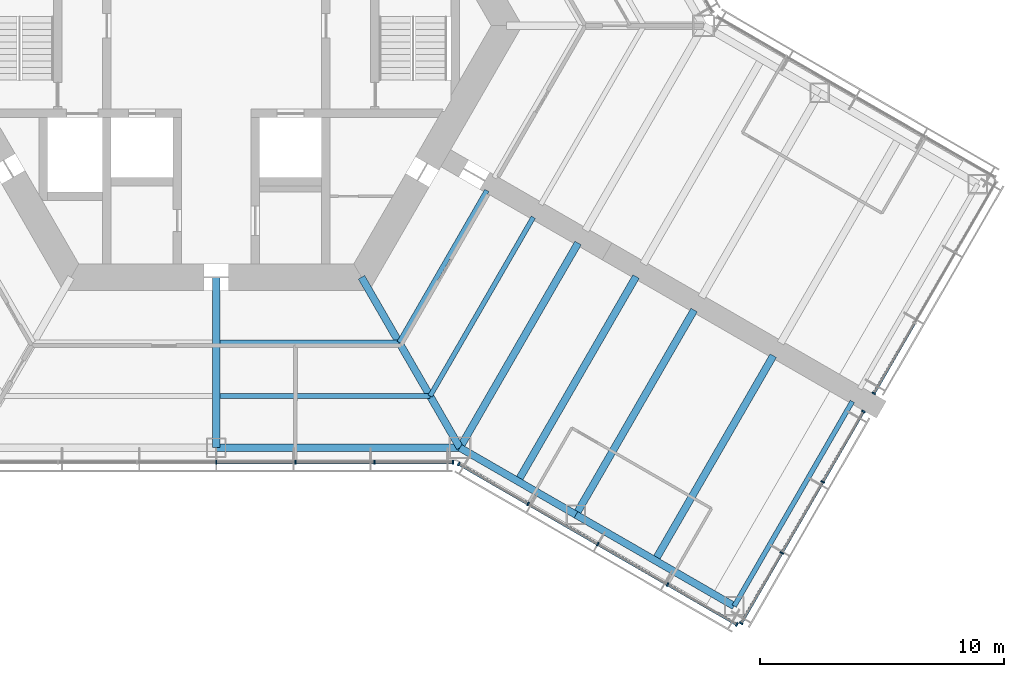
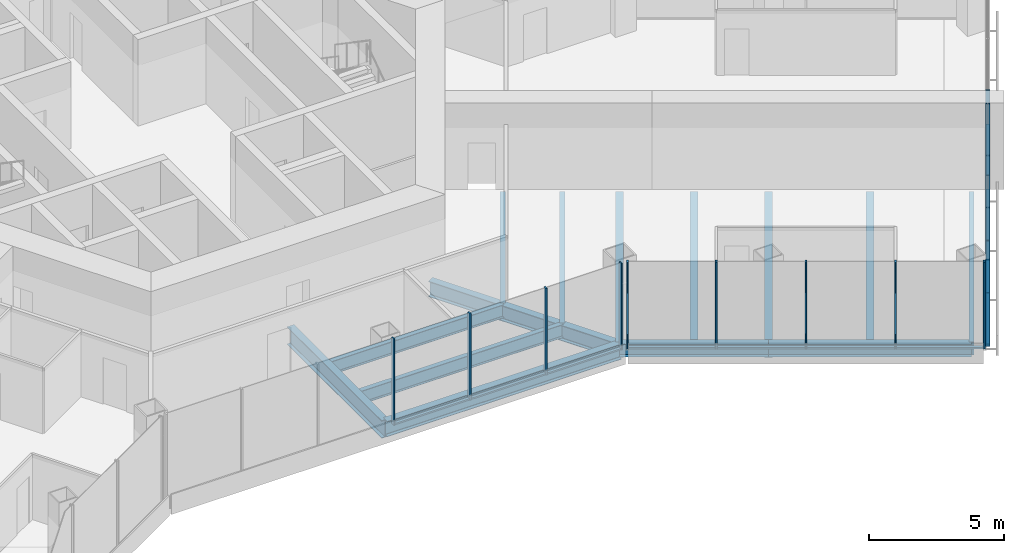
# One storey, part 5 of 18: 25 members, 14 beams, 4 elements without a shape of their own.
"""IFC4 building model written with IfcOpenShell, lengths in metres."""

from ifc_helpers import new_model, si_unit, direction, frame, origin, origin_2d, place, context, subcontext, project, spatial, rectangle, i_section, extrude, material, material_profile, profile_set, type_object, element, aggregate, save


model = new_model("IFC4")

# Units and contexts
model_context = context("Model", 3, precision=1e-05, world=origin(), true_north=direction((0.0, 1.0)))
body_context = subcontext(model_context, "Body", "Model", "MODEL_VIEW")
ifc_project = project(units=[si_unit("LENGTHUNIT", "METRE"), si_unit("AREAUNIT", "SQUARE_METRE"), si_unit("VOLUMEUNIT", "CUBIC_METRE"), si_unit("PLANEANGLEUNIT", "RADIAN"), si_unit("MASSUNIT", "GRAM", prefix="KILO")], contexts=[model_context])

# Site, building, storey
site_placement = place(None, origin())
site = spatial("IfcSite", under=ifc_project, at=site_placement, CompositionType="ELEMENT")
building_placement = place(site_placement, origin())
building = spatial("IfcBuilding", under=site, at=building_placement, Name="Kasaneha Research Tower", CompositionType="ELEMENT")
storey_placement = place(building_placement, frame((0.0, 0.0, 61.199951171875)))
storey = spatial("IfcBuildingStorey", under=building, at=storey_placement, Name="L15", CompositionType="ELEMENT", Elevation=61.199951171875)

# Beams
ifc_material_1 = material(Name="Steel SN490B", Category="steel")
ifc_material_profile_1 = material_profile(ifc_material_1, i_section(OverallWidth=0.199951171875, OverallDepth=0.60009765625, WebThickness=0.010986328125, FlangeThickness=0.01708984375, FilletRadius=0.012939453125, at=origin_2d()), Name="H-600x200x11x17")
ifc_profile_set_1 = profile_set([ifc_material_profile_1], Name="Steel SN490B")
beam_type_1 = type_object("IfcBeamType", Name="B1-3 secondary beam H-600x200x11x17", PredefinedType="JOIST", material=ifc_profile_set_1)
beam_1_placement = place(storey_placement, frame((7.505615234375, -13.0, -0.449951171875), z_axis=(-1.0, 0.0, 0.0), x_axis=(0.0, -1.0, 0.0)))
element("IfcBeam", 1, at=beam_1_placement, inside=storey, type_object=beam_type_1, Name="Secondary beam RS270R1 L15", PredefinedType="JOIST", context=body_context, shape_type="SweptSolid", body=[
    extrude(i_section(OverallWidth=0.199951171875, OverallDepth=0.60009765625, WebThickness=0.010986328125, FlangeThickness=0.01708984375, FilletRadius=0.012939453125, at=origin_2d()), origin(), (0.0, 0.0, 1.0), 7.355712890625),
])
beam_2_placement = place(storey_placement, frame((8.775634765625, -15.199951171875, -0.449951171875), z_axis=(-1.0, 0.0, 0.0), x_axis=(0.0, -1.0, 0.0)))
element("IfcBeam", 2, at=beam_2_placement, inside=storey, type_object=beam_type_1, Name="Secondary beam RS270R2 L15", PredefinedType="JOIST", context=body_context, shape_type="SweptSolid", body=[
    extrude(i_section(OverallWidth=0.199951171875, OverallDepth=0.60009765625, WebThickness=0.010986328125, FlangeThickness=0.01708984375, FilletRadius=0.012939453125, at=origin_2d()), origin(), (0.0, 0.0, 1.0), 8.625732421875),
])
beam_3_placement = place(storey_placement, frame((7.505615234375, -13.0, -0.449951171875), z_axis=(0.499998147991, 0.86602647304, 0.0), x_axis=(-0.86602647304, 0.499998147991, 0.0)))
element("IfcBeam", 3, at=beam_3_placement, inside=storey, type_object=beam_type_1, Name="Secondary beam RS330L1 L15", PredefinedType="JOIST", context=body_context, shape_type="SweptSolid", body=[
    extrude(i_section(OverallWidth=0.199951171875, OverallDepth=0.60009765625, WebThickness=0.010986328125, FlangeThickness=0.01708984375, FilletRadius=0.012939453125, at=origin_2d()), origin(), (0.0, 0.0, 1.0), 7.20556640625),
])
beam_4_placement = place(storey_placement, frame((8.775634765625, -15.199951171875, -0.449951171875), z_axis=(0.500020829043, 0.866013377797, 0.0), x_axis=(-0.866013377797, 0.500020829043, 0.0)))
element("IfcBeam", 4, at=beam_4_placement, inside=storey, type_object=beam_type_1, Name="Secondary beam RS330L2 L15", PredefinedType="JOIST", context=body_context, shape_type="SweptSolid", body=[
    extrude(i_section(OverallWidth=0.199951171875, OverallDepth=0.60009765625, WebThickness=0.010986328125, FlangeThickness=0.01708984375, FilletRadius=0.012939453125, at=origin_2d()), origin(), (0.0, 0.0, 1.0), 8.475830078125),
])
ifc_material_2 = material(Name="Steel SN490B", Category="steel")
ifc_material_profile_2 = material_profile(ifc_material_2, i_section(OverallWidth=0.300048828125, OverallDepth=0.58203125, WebThickness=0.011962890625, FlangeThickness=0.01708984375, FilletRadius=0.012939453125, at=origin_2d()), Name="H-582x300x12x17")
ifc_profile_set_2 = profile_set([ifc_material_profile_2], Name="Steel SN490B")
beam_type_2 = type_object("IfcBeamType", Name="B2-3 secondary beam H-582x300x12x17", PredefinedType="JOIST", material=ifc_profile_set_2)
for number, where, z_axis, x_axis, name in (
    (5, (12.381591796875, -18.695556640625, -0.44091796875), (0.500010041276, 0.866019606374, 0.0), (-0.866019606374, 0.500010041276, 0.0), "Secondary beam WBCP1 L15"),
    (6, (18.0107421875, -21.945556640625, -0.44091796875), (0.500010041276, 0.866019606374, 0.0), (-0.866019606374, 0.500010041276, 0.0), "Secondary beam WBCP2 L15"),
):
    element("IfcBeam", number, at=place(storey_placement, frame(where, z_axis=z_axis, x_axis=x_axis)), inside=storey, type_object=beam_type_2, Name=name, PredefinedType="JOIST", context=body_context, shape_type="SweptSolid", body=[
        extrude(i_section(OverallWidth=0.300048828125, OverallDepth=0.58203125, WebThickness=0.011962890625, FlangeThickness=0.01708984375, FilletRadius=0.012939453125, at=origin_2d()), origin(), (0.0, 0.0, 1.0), 9.699951171875),
    ])

# Curtain wall, members
ifc_material_3 = material(Name="Glass and aluminium", Category="aluminium")
curtain_wall_type = type_object("IfcCurtainWallType", Name="Low-rise office curtain wall", PredefinedType="USERDEFINED", material=ifc_material_3)
curtain_wall_1_placement = place(storey_placement, origin())
curtain_wall_1 = element("IfcCurtainWall", 7, at=curtain_wall_1_placement, inside=storey, type_object=curtain_wall_type, Name="CW-O1 L15 run 02a", ObjectType="UNITISED CURTAIN WALL", PredefinedType="USERDEFINED")
ifc_material_4 = material(Name="Aluminium 6063-T6", Category="aluminium")
ifc_material_profile_3 = material_profile(ifc_material_4, rectangle(XDim=0.06005859375, YDim=0.159912109375, at=origin_2d()), Name="CW-O1 mullion 60x160")
ifc_profile_set_3 = profile_set([ifc_material_profile_3], Name="Aluminium 6063-T6")
member_type_1 = type_object("IfcMemberType", Name="CW-O1 mullion", PredefinedType="MULLION", material=ifc_profile_set_3)
member_1_placement = place(storey_placement, frame((0.0, -17.92041015625, 0.0), z_axis=(0.0, 0.0, 1.0), x_axis=(1.0, 0.0, 0.0)))
member_1 = element("IfcMember", 8, at=member_1_placement, type_object=member_type_1, Name="CW-O1 mullion 4", PredefinedType="MULLION", context=body_context, shape_type="SweptSolid", body=[
    extrude(rectangle(XDim=0.06005859375, YDim=0.159912109375, at=origin_2d()), origin(), (0.0, 0.0, 1.0), 3.900146484375),
])
member_2_placement = place(storey_placement, frame((3.246337890625, -17.92041015625, 0.0), z_axis=(0.0, 0.0, 1.0), x_axis=(1.0, 0.0, 0.0)))
member_2 = element("IfcMember", 9, at=member_2_placement, type_object=member_type_1, Name="CW-O1 mullion 5", PredefinedType="MULLION", context=body_context, shape_type="SweptSolid", body=[
    extrude(rectangle(XDim=0.06005859375, YDim=0.159912109375, at=origin_2d()), origin(), (0.0, 0.0, 1.0), 3.900146484375),
])
member_3_placement = place(storey_placement, frame((6.492919921875, -17.92041015625, 0.0), z_axis=(0.0, 0.0, 1.0), x_axis=(1.0, 0.0, 0.0)))
member_3 = element("IfcMember", 10, at=member_3_placement, type_object=member_type_1, Name="CW-O1 mullion 6", PredefinedType="MULLION", context=body_context, shape_type="SweptSolid", body=[
    extrude(rectangle(XDim=0.06005859375, YDim=0.159912109375, at=origin_2d()), origin(), (0.0, 0.0, 1.0), 3.900146484375),
])
member_4_placement = place(storey_placement, frame((9.709228515625, -17.92041015625, 0.0), z_axis=(0.0, 0.0, 1.0), x_axis=(1.0, 0.0, 0.0)))
member_4 = element("IfcMember", 11, at=member_4_placement, type_object=member_type_1, Name="CW-O1 mullion 7", PredefinedType="MULLION", context=body_context, shape_type="SweptSolid", body=[
    extrude(rectangle(XDim=0.06005859375, YDim=0.159912109375, at=origin_2d()), origin(), (0.0, 0.0, 1.0), 3.900146484375),
])

curtain_wall_2_placement = place(storey_placement, origin())
curtain_wall_2 = element("IfcCurtainWall", 12, at=curtain_wall_2_placement, inside=storey, type_object=curtain_wall_type, Name="CW-O1 L15 run 03a", ObjectType="UNITISED CURTAIN WALL", PredefinedType="USERDEFINED")
member_5_placement = place(storey_placement, frame((9.951904296875, -17.985595703125, 0.0), z_axis=(0.0, 0.0, 1.0), x_axis=(0.866025411464, -0.499999986699, 0.0)))
member_5 = element("IfcMember", 13, at=member_5_placement, type_object=member_type_1, Name="CW-O1 mullion 1", PredefinedType="MULLION", context=body_context, shape_type="SweptSolid", body=[
    extrude(rectangle(XDim=0.06005859375, YDim=0.159912109375, at=origin_2d()), origin(), (0.0, 0.0, 1.0), 3.900146484375),
])
member_6_placement = place(storey_placement, frame((12.792236328125, -19.62548828125, 0.0), z_axis=(0.0, 0.0, 1.0), x_axis=(0.866025411464, -0.499999986699, 0.0)))
member_6 = element("IfcMember", 14, at=member_6_placement, type_object=member_type_1, Name="CW-O1 mullion 2", PredefinedType="MULLION", context=body_context, shape_type="SweptSolid", body=[
    extrude(rectangle(XDim=0.06005859375, YDim=0.159912109375, at=origin_2d()), origin(), (0.0, 0.0, 1.0), 3.900146484375),
])
member_7_placement = place(storey_placement, frame((15.65869140625, -21.2802734375, 0.0), z_axis=(0.0, 0.0, 1.0), x_axis=(0.866025411464, -0.499999986699, 0.0)))
member_7 = element("IfcMember", 15, at=member_7_placement, type_object=member_type_1, Name="CW-O1 mullion 3", PredefinedType="MULLION", context=body_context, shape_type="SweptSolid", body=[
    extrude(rectangle(XDim=0.06005859375, YDim=0.159912109375, at=origin_2d()), origin(), (0.0, 0.0, 1.0), 3.900146484375),
])
member_8_placement = place(storey_placement, frame((18.52490234375, -22.935302734375, 0.0), z_axis=(0.0, 0.0, 1.0), x_axis=(0.866025411464, -0.499999986699, 0.0)))
member_8 = element("IfcMember", 16, at=member_8_placement, type_object=member_type_1, Name="CW-O1 mullion 4", PredefinedType="MULLION", context=body_context, shape_type="SweptSolid", body=[
    extrude(rectangle(XDim=0.06005859375, YDim=0.159912109375, at=origin_2d()), origin(), (0.0, 0.0, 1.0), 3.900146484375),
])
member_9_placement = place(storey_placement, frame((21.365478515625, -24.5751953125, 0.0), z_axis=(0.0, 0.0, 1.0), x_axis=(0.866025411464, -0.499999986699, 0.0)))
member_9 = element("IfcMember", 17, at=member_9_placement, type_object=member_type_1, Name="CW-O1 mullion 5", PredefinedType="MULLION", context=body_context, shape_type="SweptSolid", body=[
    extrude(rectangle(XDim=0.06005859375, YDim=0.159912109375, at=origin_2d()), origin(), (0.0, 0.0, 1.0), 3.900146484375),
])

curtain_wall_3_placement = place(storey_placement, origin())
curtain_wall_3 = element("IfcCurtainWall", 18, at=curtain_wall_3_placement, inside=storey, type_object=curtain_wall_type, Name="CW-O1 L15 run 04a", ObjectType="UNITISED CURTAIN WALL", PredefinedType="USERDEFINED")
member_10_placement = place(storey_placement, frame((21.54296875, -24.527587890625, 0.0), z_axis=(0.0, 0.0, 1.0), x_axis=(0.500000011442, 0.866025397178, 0.0)))
member_10 = element("IfcMember", 19, at=member_10_placement, type_object=member_type_1, Name="CW-O1 mullion 1", PredefinedType="MULLION", context=body_context, shape_type="SweptSolid", body=[
    extrude(rectangle(XDim=0.06005859375, YDim=0.159912109375, at=origin_2d()), origin(), (0.0, 0.0, 1.0), 3.900146484375),
])
member_11_placement = place(storey_placement, frame((23.211181640625, -21.637939453125, 0.0), z_axis=(0.0, 0.0, 1.0), x_axis=(0.500000011442, 0.866025397178, 0.0)))
member_11 = element("IfcMember", 20, at=member_11_placement, type_object=member_type_1, Name="CW-O1 mullion 2", PredefinedType="MULLION", context=body_context, shape_type="SweptSolid", body=[
    extrude(rectangle(XDim=0.06005859375, YDim=0.159912109375, at=origin_2d()), origin(), (0.0, 0.0, 1.0), 3.900146484375),
])
member_12_placement = place(storey_placement, frame((24.89453125, -18.72216796875, 0.0), z_axis=(0.0, 0.0, 1.0), x_axis=(0.500000011442, 0.866025397178, 0.0)))
member_12 = element("IfcMember", 21, at=member_12_placement, type_object=member_type_1, Name="CW-O1 mullion 3", PredefinedType="MULLION", context=body_context, shape_type="SweptSolid", body=[
    extrude(rectangle(XDim=0.06005859375, YDim=0.159912109375, at=origin_2d()), origin(), (0.0, 0.0, 1.0), 3.900146484375),
])
member_13_placement = place(storey_placement, frame((26.56298828125, -15.832763671875, 0.0), z_axis=(0.0, 0.0, 1.0), x_axis=(0.500000011442, 0.866025397178, 0.0)))
member_13 = element("IfcMember", 22, at=member_13_placement, type_object=member_type_1, Name="CW-O1 mullion 4", PredefinedType="MULLION", context=body_context, shape_type="SweptSolid", body=[
    extrude(rectangle(XDim=0.06005859375, YDim=0.159912109375, at=origin_2d()), origin(), (0.0, 0.0, 1.0), 3.900146484375),
])

# Curtain wall, member
curtain_wall_4_placement = place(storey_placement, origin())
curtain_wall_4 = element("IfcCurtainWall", 23, at=curtain_wall_4_placement, inside=storey, type_object=curtain_wall_type, Name="CW-O1 L15 run 05a", ObjectType="UNITISED CURTAIN WALL", PredefinedType="USERDEFINED")
member_14_placement = place(storey_placement, frame((26.992919921875, -15.087890625, 0.0), z_axis=(0.0, 0.0, 1.0), x_axis=(0.500000011442, 0.866025397178, 0.0)))
member_14 = element("IfcMember", 24, at=member_14_placement, type_object=member_type_1, Name="CW-O1 mullion 1", PredefinedType="MULLION", context=body_context, shape_type="SweptSolid", body=[
    extrude(rectangle(XDim=0.06005859375, YDim=0.159912109375, at=origin_2d()), origin(), (0.0, 0.0, 1.0), 3.900146484375),
])

# Member
ifc_material_5 = material(Name="Aluminium 6063-T6", Category="aluminium")
ifc_material_profile_4 = material_profile(ifc_material_5, rectangle(XDim=0.1201171875, YDim=0.06005859375, at=origin_2d()), Name="CW-O1 transom 120x60")
ifc_profile_set_4 = profile_set([ifc_material_profile_4], Name="Aluminium 6063-T6")
member_type_2 = type_object("IfcMemberType", Name="CW-O1 transom", PredefinedType="USERDEFINED", material=ifc_profile_set_4)
member_15_placement = place(storey_placement, frame((0.030029296875, -17.92041015625, 0.030029296875), z_axis=(1.0, 0.0, 0.0), x_axis=(0.0, 1.0, 0.0)))
member_15 = element("IfcMember", 25, at=member_15_placement, type_object=member_type_2, Name="CW-O1 transom 4", ObjectType="TRANSOM", PredefinedType="USERDEFINED", context=body_context, shape_type="SweptSolid", body=[
    extrude(rectangle(XDim=0.1201171875, YDim=0.06005859375, at=origin_2d()), origin(), (0.0, 0.0, 1.0), 3.186279296875),
])

member_16_placement = place(storey_placement, frame((3.2763671875, -17.92041015625, 0.030029296875), z_axis=(1.0, 0.0, 0.0), x_axis=(0.0, 1.0, 0.0)))
member_16 = element("IfcMember", 26, at=member_16_placement, type_object=member_type_2, Name="CW-O1 transom 5", ObjectType="TRANSOM", PredefinedType="USERDEFINED", context=body_context, shape_type="SweptSolid", body=[
    extrude(rectangle(XDim=0.1201171875, YDim=0.06005859375, at=origin_2d()), origin(), (0.0, 0.0, 1.0), 3.1865234375),
])

member_17_placement = place(storey_placement, frame((6.522705078125, -17.92041015625, 0.030029296875), z_axis=(1.0, 0.0, 0.0), x_axis=(0.0, 1.0, 0.0)))
member_17 = element("IfcMember", 27, at=member_17_placement, type_object=member_type_2, Name="CW-O1 transom 6", ObjectType="TRANSOM", PredefinedType="USERDEFINED", context=body_context, shape_type="SweptSolid", body=[
    extrude(rectangle(XDim=0.1201171875, YDim=0.06005859375, at=origin_2d()), origin(), (0.0, 0.0, 1.0), 3.156494140625),
])

aggregate(curtain_wall_1, [member_1, member_2, member_3, member_4, member_15, member_16, member_17])

member_18_placement = place(storey_placement, frame((9.977783203125, -18.00048828125, 0.030029296875), z_axis=(0.866022692473, -0.500004696101, 0.0), x_axis=(0.500004696101, 0.866022692473, 0.0)))
member_18 = element("IfcMember", 28, at=member_18_placement, type_object=member_type_2, Name="CW-O1 transom 1", ObjectType="TRANSOM", PredefinedType="USERDEFINED", context=body_context, shape_type="SweptSolid", body=[
    extrude(rectangle(XDim=0.1201171875, YDim=0.06005859375, at=origin_2d()), origin(), (0.0, 0.0, 1.0), 3.2197265625),
])

member_19_placement = place(storey_placement, frame((12.818115234375, -19.640380859375, 0.030029296875), z_axis=(0.866015446554, -0.500017246033, 0.0), x_axis=(0.500017246033, 0.866015446554, 0.0)))
member_19 = element("IfcMember", 29, at=member_19_placement, type_object=member_type_2, Name="CW-O1 transom 2", ObjectType="TRANSOM", PredefinedType="USERDEFINED", context=body_context, shape_type="SweptSolid", body=[
    extrude(rectangle(XDim=0.1201171875, YDim=0.06005859375, at=origin_2d()), origin(), (0.0, 0.0, 1.0), 3.25),
])

member_20_placement = place(storey_placement, frame((15.6845703125, -21.29541015625, 0.030029296875), z_axis=(0.86604797581, -0.499960902066, 0.0), x_axis=(0.499960902066, 0.86604797581, 0.0)))
member_20 = element("IfcMember", 30, at=member_20_placement, type_object=member_type_2, Name="CW-O1 transom 3", ObjectType="TRANSOM", PredefinedType="USERDEFINED", context=body_context, shape_type="SweptSolid", body=[
    extrude(rectangle(XDim=0.1201171875, YDim=0.06005859375, at=origin_2d()), origin(), (0.0, 0.0, 1.0), 3.249755859375),
])

member_21_placement = place(storey_placement, frame((18.551025390625, -22.9501953125, 0.030029296875), z_axis=(0.866022692473, -0.500004696101, 0.0), x_axis=(0.500004696101, 0.866022692473, 0.0)))
member_21 = element("IfcMember", 31, at=member_21_placement, type_object=member_type_2, Name="CW-O1 transom 4", ObjectType="TRANSOM", PredefinedType="USERDEFINED", context=body_context, shape_type="SweptSolid", body=[
    extrude(rectangle(XDim=0.1201171875, YDim=0.06005859375, at=origin_2d()), origin(), (0.0, 0.0, 1.0), 3.2197265625),
])

aggregate(curtain_wall_2, [member_5, member_6, member_7, member_8, member_9, member_18, member_19, member_20, member_21])

member_22_placement = place(storey_placement, frame((21.557861328125, -24.50146484375, 0.030029296875), z_axis=(0.500025583411, 0.866010632691, 0.0), x_axis=(-0.866010632691, 0.500025583411, 0.0)))
member_22 = element("IfcMember", 32, at=member_22_placement, type_object=member_type_2, Name="CW-O1 transom 1", ObjectType="TRANSOM", PredefinedType="USERDEFINED", context=body_context, shape_type="SweptSolid", body=[
    extrude(rectangle(XDim=0.1201171875, YDim=0.06005859375, at=origin_2d()), origin(), (0.0, 0.0, 1.0), 3.276611328125),
])

member_23_placement = place(storey_placement, frame((23.226318359375, -21.61181640625, 0.030029296875), z_axis=(0.500014325468, 0.866017132814, 0.0), x_axis=(-0.866017132814, 0.500014325468, 0.0)))
member_23 = element("IfcMember", 33, at=member_23_placement, type_object=member_type_2, Name="CW-O1 transom 2", ObjectType="TRANSOM", PredefinedType="USERDEFINED", context=body_context, shape_type="SweptSolid", body=[
    extrude(rectangle(XDim=0.1201171875, YDim=0.06005859375, at=origin_2d()), origin(), (0.0, 0.0, 1.0), 3.306640625),
])

member_24_placement = place(storey_placement, frame((24.90966796875, -18.6962890625, 0.030029296875), z_axis=(0.499969700927, 0.866042896256, 0.0), x_axis=(-0.866042896256, 0.499969700927, 0.0)))
member_24 = element("IfcMember", 34, at=member_24_placement, type_object=member_type_2, Name="CW-O1 transom 3", ObjectType="TRANSOM", PredefinedType="USERDEFINED", context=body_context, shape_type="SweptSolid", body=[
    extrude(rectangle(XDim=0.1201171875, YDim=0.06005859375, at=origin_2d()), origin(), (0.0, 0.0, 1.0), 3.276611328125),
])

aggregate(curtain_wall_3, [member_10, member_11, member_12, member_13, member_22, member_23, member_24])

member_25_placement = place(storey_placement, frame((27.008056640625, -15.061767578125, 0.030029296875), z_axis=(0.499969700927, 0.866042896256, 0.0), x_axis=(-0.866042896256, 0.499969700927, 0.0)))
member_25 = element("IfcMember", 35, at=member_25_placement, type_object=member_type_2, Name="CW-O1 transom 1", ObjectType="TRANSOM", PredefinedType="USERDEFINED", context=body_context, shape_type="SweptSolid", body=[
    extrude(rectangle(XDim=0.1201171875, YDim=0.06005859375, at=origin_2d()), origin(), (0.0, 0.0, 1.0), 3.276611328125),
])

aggregate(curtain_wall_4, [member_14, member_25])

# Beams
ifc_material_6 = material(Name="Steel SN490B", Category="steel")
ifc_material_profile_5 = material_profile(ifc_material_6, i_section(OverallWidth=0.300048828125, OverallDepth=0.699951171875, WebThickness=0.012939453125, FlangeThickness=0.02392578125, FilletRadius=0.01806640625, at=origin_2d()), Name="H-700x300x13x24")
ifc_profile_set_5 = profile_set([ifc_material_profile_5], Name="Steel SN490B")
beam_type_3 = type_object("IfcBeamType", Name="G1-3 radial girder H-700x300x13x24", PredefinedType="BEAM", material=ifc_profile_set_5)
beam_5_placement = place(storey_placement, frame((5.961181640625, -10.324951171875, -0.5), z_axis=(0.49999105496, -0.866030568144, 0.0), x_axis=(0.866030568144, 0.49999105496, 0.0)))
element("IfcBeam", 36, at=beam_5_placement, inside=storey, type_object=beam_type_3, Name="Radial girder RV300 L15", PredefinedType="BEAM", context=body_context, shape_type="SweptSolid", body=[
    extrude(i_section(OverallWidth=0.300048828125, OverallDepth=0.699951171875, WebThickness=0.012939453125, FlangeThickness=0.02392578125, FilletRadius=0.01806640625, at=origin_2d()), origin(), (0.0, 0.0, 1.0), 8.077880859375),
])
ifc_material_7 = material(Name="Steel SN490B", Category="steel")
ifc_material_profile_6 = material_profile(ifc_material_7, i_section(OverallWidth=0.300048828125, OverallDepth=0.800048828125, WebThickness=0.013916015625, FlangeThickness=0.02587890625, FilletRadius=0.01806640625, at=origin_2d()), Name="H-800x300x14x26")
ifc_profile_set_6 = profile_set([ifc_material_profile_6], Name="Steel SN490B")
beam_type_4 = type_object("IfcBeamType", Name="G2-3 radial girder H-800x300x14x26", PredefinedType="BEAM", material=ifc_profile_set_6)
beam_6_placement = place(storey_placement, frame((0.0, -10.324951171875, -0.550048828125), z_axis=(0.0, -1.0, 0.0), x_axis=(1.0, 0.0, 0.0)))
element("IfcBeam", 37, at=beam_6_placement, inside=storey, type_object=beam_type_4, Name="Radial girder RM270 L15", PredefinedType="BEAM", context=body_context, shape_type="SweptSolid", body=[
    extrude(i_section(OverallWidth=0.300048828125, OverallDepth=0.800048828125, WebThickness=0.013916015625, FlangeThickness=0.02587890625, FilletRadius=0.01806640625, at=origin_2d()), origin(), (0.0, 0.0, 1.0), 6.99560546875),
])
ifc_material_8 = material(Name="Steel SN490B", Category="steel")
ifc_material_profile_7 = material_profile(ifc_material_8, i_section(OverallWidth=0.300048828125, OverallDepth=0.69189453125, WebThickness=0.012939453125, FlangeThickness=0.02001953125, FilletRadius=0.01806640625, at=origin_2d()), Name="H-692x300x13x20")
ifc_profile_set_7 = profile_set([ifc_material_profile_7], Name="Steel SN490B")
beam_type_5 = type_object("IfcBeamType", Name="G3-3 plate edge girder H-692x300x13x20", PredefinedType="BEAM", material=ifc_profile_set_7)
beam_7_placement = place(storey_placement, frame((10.0, -17.320556640625, -0.495849609375), z_axis=(0.500010041276, 0.866019606374, 0.0), x_axis=(-0.866019606374, 0.500010041276, 0.0)))
element("IfcBeam", 38, at=beam_7_placement, inside=storey, type_object=beam_type_5, Name="Plate edge girder PECP L15", PredefinedType="BEAM", context=body_context, shape_type="SweptSolid", body=[
    extrude(i_section(OverallWidth=0.300048828125, OverallDepth=0.69189453125, WebThickness=0.012939453125, FlangeThickness=0.02001953125, FilletRadius=0.01806640625, at=origin_2d()), origin(), (0.0, 0.0, 1.0), 9.699951171875),
])
ifc_material_9 = material(Name="Steel SN490B", Category="steel")
ifc_material_profile_8 = material_profile(ifc_material_9, i_section(OverallWidth=0.300048828125, OverallDepth=0.699951171875, WebThickness=0.012939453125, FlangeThickness=0.02392578125, FilletRadius=0.01806640625, at=origin_2d()), Name="H-700x300x13x24")
ifc_profile_set_8 = profile_set([ifc_material_profile_8], Name="Steel SN490B")
beam_type_6 = type_object("IfcBeamType", Name="G4-3 wing girder H-700x300x13x24", PredefinedType="BEAM", material=ifc_profile_set_8)
beam_8_placement = place(storey_placement, frame((14.76318359375, -20.070556640625, -0.5), z_axis=(0.499991164321, 0.866030505006, 0.0), x_axis=(-0.866030505006, 0.499991164321, 0.0)))
element("IfcBeam", 39, at=beam_8_placement, inside=storey, type_object=beam_type_6, Name="Wing girder WGCP L15", PredefinedType="BEAM", context=body_context, shape_type="SweptSolid", body=[
    extrude(i_section(OverallWidth=0.300048828125, OverallDepth=0.699951171875, WebThickness=0.012939453125, FlangeThickness=0.02392578125, FilletRadius=0.01806640625, at=origin_2d()), origin(), (0.0, 0.0, 1.0), 9.699951171875),
])
ifc_material_10 = material(Name="Steel SN490B", Category="steel")
ifc_material_profile_9 = material_profile(ifc_material_10, i_section(OverallWidth=0.300048828125, OverallDepth=0.69189453125, WebThickness=0.012939453125, FlangeThickness=0.02001953125, FilletRadius=0.01806640625, at=origin_2d()), Name="H-692x300x13x20")
ifc_profile_set_9 = profile_set([ifc_material_profile_9], Name="Steel SN490B")
beam_type_7 = type_object("IfcBeamType", Name="SB1-3 spandrel beam H-692x300x13x20", PredefinedType="SPANDREL", material=ifc_profile_set_9)
beam_9_placement = place(storey_placement, frame((10.0, -17.320556640625, -0.495849609375), z_axis=(-1.0, 0.0, 0.0), x_axis=(0.0, -1.0, 0.0)))
element("IfcBeam", 40, at=beam_9_placement, inside=storey, type_object=beam_type_7, Name="Spandrel beam SR270R L15", PredefinedType="SPANDREL", context=body_context, shape_type="SweptSolid", body=[
    extrude(i_section(OverallWidth=0.300048828125, OverallDepth=0.69189453125, WebThickness=0.012939453125, FlangeThickness=0.02001953125, FilletRadius=0.01806640625, at=origin_2d()), origin(), (0.0, 0.0, 1.0), 10.0),
])
ifc_material_11 = material(Name="Steel SN490B", Category="steel")
ifc_material_profile_10 = material_profile(ifc_material_11, i_section(OverallWidth=0.300048828125, OverallDepth=0.58203125, WebThickness=0.011962890625, FlangeThickness=0.01708984375, FilletRadius=0.012939453125, at=origin_2d()), Name="H-582x300x12x17")
ifc_profile_set_10 = profile_set([ifc_material_profile_10], Name="Steel SN490B")
beam_type_8 = type_object("IfcBeamType", Name="SB2-3 spandrel beam H-582x300x12x17", PredefinedType="SPANDREL", material=ifc_profile_set_10)
beam_10_placement = place(storey_placement, frame((10.0, -17.320556640625, -0.44091796875), z_axis=(0.866027397988, -0.499996545922, 0.0), x_axis=(0.499996545922, 0.866027397988, 0.0)))
element("IfcBeam", 41, at=beam_10_placement, inside=storey, type_object=beam_type_8, Name="Spandrel beam WSCP1 L15", PredefinedType="SPANDREL", context=body_context, shape_type="SweptSolid", body=[
    extrude(i_section(OverallWidth=0.300048828125, OverallDepth=0.58203125, WebThickness=0.011962890625, FlangeThickness=0.01708984375, FilletRadius=0.012939453125, at=origin_2d()), origin(), (0.0, 0.0, 1.0), 5.5),
])
beam_11_placement = place(storey_placement, frame((14.76318359375, -20.070556640625, -0.44091796875), z_axis=(0.866022959057, -0.500004234368, 0.0), x_axis=(0.500004234368, 0.866022959057, 0.0)))
element("IfcBeam", 42, at=beam_11_placement, inside=storey, type_object=beam_type_8, Name="Spandrel beam WSCP2 L15", PredefinedType="SPANDREL", context=body_context, shape_type="SweptSolid", body=[
    extrude(i_section(OverallWidth=0.300048828125, OverallDepth=0.58203125, WebThickness=0.011962890625, FlangeThickness=0.01708984375, FilletRadius=0.012939453125, at=origin_2d()), origin(), (0.0, 0.0, 1.0), 7.5),
])
ifc_material_12 = material(Name="Steel SN490B", Category="steel")
ifc_material_profile_11 = material_profile(ifc_material_12, i_section(OverallWidth=0.199951171875, OverallDepth=0.60009765625, WebThickness=0.010986328125, FlangeThickness=0.01708984375, FilletRadius=0.012939453125, at=origin_2d()), Name="H-600x200x11x17")
ifc_profile_set_11 = profile_set([ifc_material_profile_11], Name="Steel SN490B")
beam_type_9 = type_object("IfcBeamType", Name="SB3-3 spandrel beam H-600x200x11x17", PredefinedType="SPANDREL", material=ifc_profile_set_11)
beam_12_placement = place(storey_placement, frame((21.25830078125, -23.820556640625, -0.449951171875), z_axis=(0.500010041276, 0.866019606374, 0.0), x_axis=(-0.866019606374, 0.500010041276, 0.0)))
element("IfcBeam", 43, at=beam_12_placement, inside=storey, type_object=beam_type_9, Name="Spandrel beam WTCP L15", PredefinedType="SPANDREL", context=body_context, shape_type="SweptSolid", body=[
    extrude(i_section(OverallWidth=0.199951171875, OverallDepth=0.60009765625, WebThickness=0.010986328125, FlangeThickness=0.01708984375, FilletRadius=0.012939453125, at=origin_2d()), origin(), (0.0, 0.0, 1.0), 9.699951171875),
])

save(model, "model.ifc")
